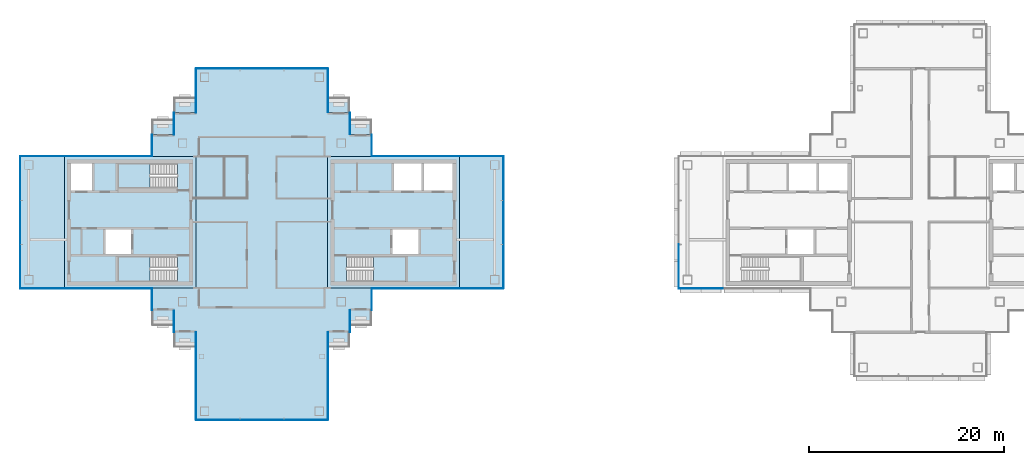
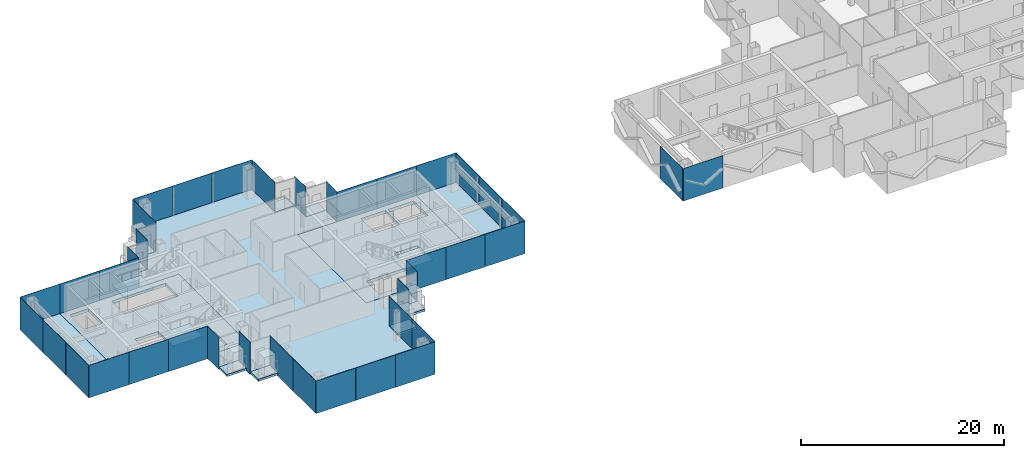
# One storey, part 7 of 17: 40 plates, 16 slabs, 25 elements without a shape of their own.
"""IFC4 building model written with IfcOpenShell, lengths in metres."""

from ifc_helpers import new_model, si_unit, direction, frame, origin, origin_2d, place, context, subcontext, project, spatial, polyline, rectangle, outline, extrude, material, layer, layer_set, type_object, element, aggregate, save


model = new_model("IFC4")

# Units and contexts
model_context = context("Model", 3, precision=1e-05, world=origin(), true_north=direction((0.0, 1.0)))
body_context = subcontext(model_context, "Body", "Model", "MODEL_VIEW")
ifc_project = project(units=[si_unit("LENGTHUNIT", "METRE"), si_unit("AREAUNIT", "SQUARE_METRE"), si_unit("VOLUMEUNIT", "CUBIC_METRE"), si_unit("PLANEANGLEUNIT", "RADIAN"), si_unit("MASSUNIT", "GRAM", prefix="KILO")], contexts=[model_context])

# Site, building, storey
site_placement = place(None, origin())
site = spatial("IfcSite", under=ifc_project, at=site_placement, CompositionType="ELEMENT")
building_placement = place(site_placement, origin())
building = spatial("IfcBuilding", under=site, at=building_placement, Name="Shamsa Quay Exchange Towers", CompositionType="ELEMENT")
storey_placement = place(building_placement, frame((0.0, 0.0, 253.800048828125)))
storey = spatial("IfcBuildingStorey", under=building, at=storey_placement, Name="L61", CompositionType="ELEMENT", Elevation=253.800048828125)

# Slabs
ifc_material_1 = material(Name="Precast concrete C40/50", Category="concrete")
ifc_layer_1 = layer(ifc_material_1, 0.25)
ifc_layer_set_1 = layer_set([ifc_layer_1], Name="BALCONY SLAB 250")
slab_type_1 = type_object("IfcSlabType", Name="BALCONY SLAB 250", PredefinedType="FLOOR", material=ifc_layer_set_1)
slab_1_placement = place(storey_placement, frame((0.0, 0.0, -0.25)))
element("IfcSlab", 1, at=slab_1_placement, inside=storey, type_object=slab_type_1, Name="Balcony T1-PKEN L61", PredefinedType="FLOOR", context=body_context, shape_type="SweptSolid", body=[
    extrude(outline(polyline([(-22.5, 9.0), (-24.7119140625, 9.0), (-24.7119140625, 10.550048828125), (-22.5, 10.550048828125), (-22.5, 9.0)])), origin(), (0.0, 0.0, 1.0), 0.25),
])
slab_2_placement = place(storey_placement, frame((0.0, 0.0, -0.25)))
element("IfcSlab", 2, at=slab_2_placement, inside=storey, type_object=slab_type_1, Name="Balcony T1-PKEN L61", PredefinedType="FLOOR", context=body_context, shape_type="SweptSolid", body=[
    extrude(outline(polyline([(-24.75, 11.25), (-26.9619140625, 11.25), (-26.9619140625, 12.800048828125), (-24.75, 12.800048828125), (-24.75, 11.25)])), origin(), (0.0, 0.0, 1.0), 0.25),
])
slab_3_placement = place(storey_placement, frame((0.0, 0.0, -0.25)))
element("IfcSlab", 3, at=slab_3_placement, inside=storey, type_object=slab_type_1, Name="Balcony T1-PKES L61", PredefinedType="FLOOR", context=body_context, shape_type="SweptSolid", body=[
    extrude(outline(polyline([(-24.7119140625, -9.0), (-22.5, -9.0), (-22.5, -10.550048828125), (-24.7119140625, -10.550048828125), (-24.7119140625, -9.0)])), origin(), (0.0, 0.0, 1.0), 0.25),
])
slab_4_placement = place(storey_placement, frame((0.0, 0.0, -0.25)))
element("IfcSlab", 4, at=slab_4_placement, inside=storey, type_object=slab_type_1, Name="Balcony T1-PKES L61", PredefinedType="FLOOR", context=body_context, shape_type="SweptSolid", body=[
    extrude(outline(polyline([(-26.9619140625, -11.25), (-24.75, -11.25), (-24.75, -12.800048828125), (-26.9619140625, -12.800048828125), (-26.9619140625, -11.25)])), origin(), (0.0, 0.0, 1.0), 0.25),
])
slab_5_placement = place(storey_placement, frame((0.0, 0.0, -0.25)))
element("IfcSlab", 5, at=slab_5_placement, inside=storey, type_object=slab_type_1, Name="Balcony T1-PKWN L61", PredefinedType="FLOOR", context=body_context, shape_type="SweptSolid", body=[
    extrude(outline(polyline([(-40.5380859375, 11.25), (-42.75, 11.25), (-42.75, 12.800048828125), (-40.5380859375, 12.800048828125), (-40.5380859375, 11.25)])), origin(), (0.0, 0.0, 1.0), 0.25),
])
slab_6_placement = place(storey_placement, frame((0.0, 0.0, -0.25)))
element("IfcSlab", 6, at=slab_6_placement, inside=storey, type_object=slab_type_1, Name="Balcony T1-PKWN L61", PredefinedType="FLOOR", context=body_context, shape_type="SweptSolid", body=[
    extrude(outline(polyline([(-42.7880859375, 9.0), (-45.0, 9.0), (-45.0, 10.550048828125), (-42.7880859375, 10.550048828125), (-42.7880859375, 9.0)])), origin(), (0.0, 0.0, 1.0), 0.25),
])
slab_7_placement = place(storey_placement, frame((0.0, 0.0, -0.25)))
element("IfcSlab", 7, at=slab_7_placement, inside=storey, type_object=slab_type_1, Name="Balcony T1-PKWS L61", PredefinedType="FLOOR", context=body_context, shape_type="SweptSolid", body=[
    extrude(outline(polyline([(-45.0, -9.0), (-42.7880859375, -9.0), (-42.7880859375, -10.550048828125), (-45.0, -10.550048828125), (-45.0, -9.0)])), origin(), (0.0, 0.0, 1.0), 0.25),
])
slab_8_placement = place(storey_placement, frame((0.0, 0.0, -0.25)))
element("IfcSlab", 8, at=slab_8_placement, inside=storey, type_object=slab_type_1, Name="Balcony T1-PKWS L61", PredefinedType="FLOOR", context=body_context, shape_type="SweptSolid", body=[
    extrude(outline(polyline([(-42.75, -11.25), (-40.5380859375, -11.25), (-40.5380859375, -12.800048828125), (-42.75, -12.800048828125), (-42.75, -11.25)])), origin(), (0.0, 0.0, 1.0), 0.25),
])
ifc_material_2 = material(Name="Concrete C50/60", Category="concrete")
ifc_layer_2 = layer(ifc_material_2, 0.35009765625)
ifc_layer_set_2 = layer_set([ifc_layer_2], Name="CORE FLOOR 350 C50/60")
slab_type_2 = type_object("IfcSlabType", Name="CORE FLOOR 350 C50/60", PredefinedType="FLOOR", material=ifc_layer_set_2)
slab_9_placement = place(storey_placement, frame((0.0, 0.0, -0.35009765625)))
element("IfcSlab", 9, at=slab_9_placement, inside=storey, type_object=slab_type_2, Name="Core floor T1A", PredefinedType="FLOOR", context=body_context, shape_type="SweptSolid", body=[
    extrude(outline(polyline([(-27.0, -6.75), (-13.5, -6.75), (-13.5, 6.75), (-27.0, 6.75), (-27.0, -6.75)]), holes=[polyline([(-25.099365234375, -6.050048828125), (-25.099365234375, -3.5), (-19.0, -3.5), (-19.0, -6.050048828125), (-25.099365234375, -6.050048828125)]), polyline([(-20.199951171875, 3.25), (-20.199951171875, 6.050048828125), (-17.39990234375, 6.050048828125), (-17.39990234375, 3.25), (-20.199951171875, 3.25)]), polyline([(-17.14990234375, 3.25), (-17.14990234375, 6.050048828125), (-14.199951171875, 6.050048828125), (-14.199951171875, 3.25), (-17.14990234375, 3.25)]), polyline([(-20.35009765625, -3.25), (-20.35009765625, -0.75), (-17.699951171875, -0.75), (-17.699951171875, -3.25), (-20.35009765625, -3.25)])]), origin(), (0.0, 0.0, 1.0), 0.35009765625),
])
slab_10_placement = place(storey_placement, frame((0.0, 0.0, -0.35009765625)))
element("IfcSlab", 10, at=slab_10_placement, inside=storey, type_object=slab_type_2, Name="Core floor T1B", PredefinedType="FLOOR", context=body_context, shape_type="SweptSolid", body=[
    extrude(outline(polyline([(-40.5, -6.75), (-40.5, 6.75), (-54.0, 6.75), (-54.0, -6.75), (-40.5, -6.75)]), holes=[polyline([(-42.400634765625, -3.5), (-42.400634765625, -6.050048828125), (-48.5, -6.050048828125), (-48.5, -3.5), (-42.400634765625, -3.5)]), polyline([(-42.400634765625, 6.050048828125), (-42.400634765625, 3.5), (-48.5, 3.5), (-48.5, 6.050048828125), (-42.400634765625, 6.050048828125)]), polyline([(-51.14990234375, 3.25), (-53.300048828125, 3.25), (-53.300048828125, 6.050048828125), (-51.14990234375, 6.050048828125), (-51.14990234375, 3.25)]), polyline([(-47.14990234375, -3.25), (-49.800048828125, -3.25), (-49.800048828125, -0.75), (-47.14990234375, -0.75), (-47.14990234375, -3.25)])]), origin(), (0.0, 0.0, 1.0), 0.35009765625),
])

# Stair, slab
ifc_material_3 = material(Name="Concrete C40/50", Category="concrete")
stair_type = type_object("IfcStairType", Name="EXIT STAIR 22 RISERS 177 MM", PredefinedType="HALF_TURN_STAIR", material=ifc_material_3)
stair_1_placement = place(storey_placement, origin())
stair_1 = element("IfcStair", 11, at=stair_1_placement, inside=storey, type_object=stair_type, Name="L61 Exit stair ST1", PredefinedType="HALF_TURN_STAIR")
ifc_layer_3 = layer(ifc_material_3, 0.199951171875)
ifc_layer_set_3 = layer_set([ifc_layer_3], Name="CORE STAIR LANDING")
slab_type_3 = type_object("IfcSlabType", Name="CORE STAIR LANDING", PredefinedType="LANDING", material=ifc_layer_set_3)
slab_11_placement = place(storey_placement, frame((0.0, 0.0, 1.75)))
slab_11 = element("IfcSlab", 12, at=slab_11_placement, type_object=slab_type_3, Name="ST1 landing 1", PredefinedType="LANDING", context=body_context, shape_type="SweptSolid", body=[
    extrude(outline(polyline([(-22.300048828125, -6.050048828125), (-19.0, -6.050048828125), (-19.0, -3.5), (-22.300048828125, -3.5), (-22.300048828125, -6.050048828125)])), origin(), (0.0, 0.0, 1.0), 0.199951171875),
])
aggregate(stair_1, [slab_11])

stair_2_placement = place(storey_placement, origin())
stair_2 = element("IfcStair", 13, at=stair_2_placement, inside=storey, type_object=stair_type, Name="L61 Exit stair ST2", PredefinedType="HALF_TURN_STAIR")
slab_12_placement = place(storey_placement, frame((0.0, 0.0, 1.75)))
slab_12 = element("IfcSlab", 14, at=slab_12_placement, type_object=slab_type_3, Name="ST2 landing 1", PredefinedType="LANDING", context=body_context, shape_type="SweptSolid", body=[
    extrude(outline(polyline([(-45.199951171875, -3.5), (-48.5, -3.5), (-48.5, -6.050048828125), (-45.199951171875, -6.050048828125), (-45.199951171875, -3.5)])), origin(), (0.0, 0.0, 1.0), 0.199951171875),
])
aggregate(stair_2, [slab_12])

stair_3_placement = place(storey_placement, origin())
stair_3 = element("IfcStair", 15, at=stair_3_placement, inside=storey, type_object=stair_type, Name="L61 Exit stair ST3", PredefinedType="HALF_TURN_STAIR")
slab_13_placement = place(storey_placement, frame((0.0, 0.0, 1.75)))
slab_13 = element("IfcSlab", 16, at=slab_13_placement, type_object=slab_type_3, Name="ST3 landing 1", PredefinedType="LANDING", context=body_context, shape_type="SweptSolid", body=[
    extrude(outline(polyline([(-45.199951171875, 6.050048828125), (-48.5, 6.050048828125), (-48.5, 3.5), (-45.199951171875, 3.5), (-45.199951171875, 6.050048828125)])), origin(), (0.0, 0.0, 1.0), 0.199951171875),
])
aggregate(stair_3, [slab_13])

# Curtain wall, plates
ifc_material_4 = material(Name="Aluminium EN AW-6063 T6, black anodised", Category="aluminium")
ifc_layer_4 = layer(ifc_material_4, 0.280029296875)
ifc_layer_set_4 = layer_set([ifc_layer_4], Name="CW-1 UNITISED VISION GLASS")
curtain_wall_type_1 = type_object("IfcCurtainWallType", Name="CW-1 UNITISED VISION GLASS", PredefinedType="NOTDEFINED", material=ifc_layer_set_4)
curtain_wall_1_placement = place(storey_placement, origin())
curtain_wall_1 = element("IfcCurtainWall", 17, at=curtain_wall_1_placement, inside=storey, type_object=curtain_wall_type_1, Name="CW1 T1-FLK-V-W L61", PredefinedType="NOTDEFINED")
ifc_material_5 = material(Name="Glass, laminated, dark tinted", Category="glass")
ifc_layer_5 = layer(ifc_material_5, 0.0400390625)
ifc_layer_set_5 = layer_set([ifc_layer_5], Name="CW-1 VISION GLASS 40")
plate_type_1 = type_object("IfcPlateType", Name="CW-1 VISION GLASS 40", PredefinedType="CURTAIN_PANEL", material=ifc_layer_set_5)
plate_1_placement = place(storey_placement, frame((-40.52001953125, -13.52587890625, -0.35009765625), z_axis=(0.0, 0.0, 1.0), x_axis=(0.0, -1.0, 0.0)))
plate_1 = element("IfcPlate", 18, at=plate_1_placement, type_object=plate_type_1, Name="CW1 glass panel", PredefinedType="CURTAIN_PANEL", context=body_context, shape_type="SweptSolid", body=[
    extrude(rectangle(XDim=4.47607421875, YDim=0.0400390625, at=origin_2d()), origin(), (0.0, 0.0, 1.0), 3.89990234375),
])
plate_2_placement = place(storey_placement, frame((-40.52001953125, -18.011962890625, -0.35009765625), z_axis=(0.0, 0.0, 1.0), x_axis=(0.0, -1.0, 0.0)))
plate_2 = element("IfcPlate", 19, at=plate_2_placement, type_object=plate_type_1, Name="CW1 glass panel", PredefinedType="CURTAIN_PANEL", context=body_context, shape_type="SweptSolid", body=[
    extrude(rectangle(XDim=4.47607421875, YDim=0.0400390625, at=origin_2d()), origin(), (0.0, 0.0, 1.0), 3.89990234375),
])
aggregate(curtain_wall_1, [plate_1, plate_2])

curtain_wall_2_placement = place(storey_placement, origin())
curtain_wall_2 = element("IfcCurtainWall", 20, at=curtain_wall_2_placement, inside=storey, type_object=curtain_wall_type_1, Name="CW1 T1-END-V- L61", PredefinedType="NOTDEFINED")
plate_3_placement = place(storey_placement, frame((-38.25244140625, -20.27001953125, -0.35009765625)))
plate_3 = element("IfcPlate", 21, at=plate_3_placement, type_object=plate_type_1, Name="CW1 glass panel", PredefinedType="CURTAIN_PANEL", context=body_context, shape_type="SweptSolid", body=[
    extrude(rectangle(XDim=4.4951171875, YDim=0.0400390625, at=origin_2d()), origin(), (0.0, 0.0, 1.0), 3.89990234375),
])
plate_4_placement = place(storey_placement, frame((-33.75, -20.27001953125, -0.35009765625)))
plate_4 = element("IfcPlate", 22, at=plate_4_placement, type_object=plate_type_1, Name="CW1 glass panel", PredefinedType="CURTAIN_PANEL", context=body_context, shape_type="SweptSolid", body=[
    extrude(rectangle(XDim=4.489990234375, YDim=0.0400390625, at=origin_2d()), origin(), (0.0, 0.0, 1.0), 3.89990234375),
])
plate_5_placement = place(storey_placement, frame((-29.24755859375, -20.27001953125, -0.35009765625)))
plate_5 = element("IfcPlate", 23, at=plate_5_placement, type_object=plate_type_1, Name="CW1 glass panel", PredefinedType="CURTAIN_PANEL", context=body_context, shape_type="SweptSolid", body=[
    extrude(rectangle(XDim=4.4951171875, YDim=0.0400390625, at=origin_2d()), origin(), (0.0, 0.0, 1.0), 3.89990234375),
])
aggregate(curtain_wall_2, [plate_3, plate_4, plate_5])

curtain_wall_3_placement = place(storey_placement, origin())
curtain_wall_3 = element("IfcCurtainWall", 24, at=curtain_wall_3_placement, inside=storey, type_object=curtain_wall_type_1, Name="CW1 T1-FLK-V-E L61", PredefinedType="NOTDEFINED")
plate_6_placement = place(storey_placement, frame((-26.97998046875, -18.00244140625, -0.35009765625), z_axis=(0.0, 0.0, 1.0), x_axis=(0.0, 1.0, 0.0)))
plate_6 = element("IfcPlate", 25, at=plate_6_placement, type_object=plate_type_1, Name="CW1 glass panel", PredefinedType="CURTAIN_PANEL", context=body_context, shape_type="SweptSolid", body=[
    extrude(rectangle(XDim=4.4951171875, YDim=0.0400390625, at=origin_2d()), origin(), (0.0, 0.0, 1.0), 3.89990234375),
])
plate_7_placement = place(storey_placement, frame((-26.97998046875, -13.49755859375, -0.35009765625), z_axis=(0.0, 0.0, 1.0), x_axis=(0.0, 1.0, 0.0)))
plate_7 = element("IfcPlate", 26, at=plate_7_placement, type_object=plate_type_1, Name="CW1 glass panel", PredefinedType="CURTAIN_PANEL", context=body_context, shape_type="SweptSolid", body=[
    extrude(rectangle(XDim=4.4951171875, YDim=0.0400390625, at=origin_2d()), origin(), (0.0, 0.0, 1.0), 3.89990234375),
])
aggregate(curtain_wall_3, [plate_6, plate_7])

# Curtain wall, plate
curtain_wall_4_placement = place(storey_placement, origin())
curtain_wall_4 = element("IfcCurtainWall", 27, at=curtain_wall_4_placement, inside=storey, type_object=curtain_wall_type_1, Name="CW1 T1-FLK-U+S L61", PredefinedType="NOTDEFINED")
plate_8_placement = place(storey_placement, frame((-11.25, -6.77001953125, -0.35009765625)))
plate_8 = element("IfcPlate", 28, at=plate_8_placement, type_object=plate_type_1, Name="CW1 glass panel", PredefinedType="CURTAIN_PANEL", context=body_context, shape_type="SweptSolid", body=[
    extrude(rectangle(XDim=4.5, YDim=0.0400390625, at=origin_2d()), origin(), (0.0, 0.0, 1.0), 3.89990234375),
])
aggregate(curtain_wall_4, [plate_8])

# Curtain wall, plates
curtain_wall_5_placement = place(storey_placement, origin())
curtain_wall_5 = element("IfcCurtainWall", 29, at=curtain_wall_5_placement, inside=storey, type_object=curtain_wall_type_1, Name="CW1 T1-END-U+ L61", PredefinedType="NOTDEFINED")
plate_9_placement = place(storey_placement, frame((-8.97998046875, -4.50244140625, -0.35009765625), z_axis=(0.0, 0.0, 1.0), x_axis=(0.0, 1.0, 0.0)))
plate_9 = element("IfcPlate", 30, at=plate_9_placement, type_object=plate_type_1, Name="CW1 glass panel", PredefinedType="CURTAIN_PANEL", context=body_context, shape_type="SweptSolid", body=[
    extrude(rectangle(XDim=4.4951171875, YDim=0.0400390625, at=origin_2d()), origin(), (0.0, 0.0, 1.0), 3.89990234375),
])
plate_10_placement = place(storey_placement, frame((-8.97998046875, 0.0, -0.35009765625), z_axis=(0.0, 0.0, 1.0), x_axis=(0.0, 1.0, 0.0)))
plate_10 = element("IfcPlate", 31, at=plate_10_placement, type_object=plate_type_1, Name="CW1 glass panel", PredefinedType="CURTAIN_PANEL", context=body_context, shape_type="SweptSolid", body=[
    extrude(rectangle(XDim=4.489990234375, YDim=0.0400390625, at=origin_2d()), origin(), (0.0, 0.0, 1.0), 3.89990234375),
])
plate_11_placement = place(storey_placement, frame((-8.97998046875, 4.50244140625, -0.35009765625), z_axis=(0.0, 0.0, 1.0), x_axis=(0.0, 1.0, 0.0)))
plate_11 = element("IfcPlate", 32, at=plate_11_placement, type_object=plate_type_1, Name="CW1 glass panel", PredefinedType="CURTAIN_PANEL", context=body_context, shape_type="SweptSolid", body=[
    extrude(rectangle(XDim=4.4951171875, YDim=0.0400390625, at=origin_2d()), origin(), (0.0, 0.0, 1.0), 3.89990234375),
])
aggregate(curtain_wall_5, [plate_9, plate_10, plate_11])

# Curtain wall, plate
curtain_wall_6_placement = place(storey_placement, origin())
curtain_wall_6 = element("IfcCurtainWall", 33, at=curtain_wall_6_placement, inside=storey, type_object=curtain_wall_type_1, Name="CW1 T1-FLK-U+N L61", PredefinedType="NOTDEFINED")
plate_12_placement = place(storey_placement, frame((-11.25, 6.77001953125, -0.35009765625), z_axis=(0.0, 0.0, 1.0), x_axis=(-1.0, 0.0, 0.0)))
plate_12 = element("IfcPlate", 34, at=plate_12_placement, type_object=plate_type_1, Name="CW1 glass panel", PredefinedType="CURTAIN_PANEL", context=body_context, shape_type="SweptSolid", body=[
    extrude(rectangle(XDim=4.5, YDim=0.0400390625, at=origin_2d()), origin(), (0.0, 0.0, 1.0), 3.89990234375),
])
aggregate(curtain_wall_6, [plate_12])

curtain_wall_7_placement = place(storey_placement, origin())
curtain_wall_7 = element("IfcCurtainWall", 35, at=curtain_wall_7_placement, inside=storey, type_object=curtain_wall_type_1, Name="CW1 T1-FLK-V+E L61", PredefinedType="NOTDEFINED")
plate_13_placement = place(storey_placement, frame((-26.97998046875, 13.51904296875, -0.35009765625), z_axis=(0.0, 0.0, 1.0), x_axis=(0.0, 1.0, 0.0)))
plate_13 = element("IfcPlate", 36, at=plate_13_placement, type_object=plate_type_1, Name="CW1 glass panel", PredefinedType="CURTAIN_PANEL", context=body_context, shape_type="SweptSolid", body=[
    extrude(rectangle(XDim=4.4619140625, YDim=0.0400390625, at=origin_2d()), origin(), (0.0, 0.0, 1.0), 3.89990234375),
])
aggregate(curtain_wall_7, [plate_13])

# Curtain wall, plates
curtain_wall_8_placement = place(storey_placement, origin())
curtain_wall_8 = element("IfcCurtainWall", 37, at=curtain_wall_8_placement, inside=storey, type_object=curtain_wall_type_1, Name="CW1 T1-END-V+ L61", PredefinedType="NOTDEFINED")
plate_14_placement = place(storey_placement, frame((-29.24755859375, 15.77001953125, -0.35009765625), z_axis=(0.0, 0.0, 1.0), x_axis=(-1.0, 0.0, 0.0)))
plate_14 = element("IfcPlate", 38, at=plate_14_placement, type_object=plate_type_1, Name="CW1 glass panel", PredefinedType="CURTAIN_PANEL", context=body_context, shape_type="SweptSolid", body=[
    extrude(rectangle(XDim=4.4951171875, YDim=0.0400390625, at=origin_2d()), origin(), (0.0, 0.0, 1.0), 3.89990234375),
])
plate_15_placement = place(storey_placement, frame((-33.75, 15.77001953125, -0.35009765625), z_axis=(0.0, 0.0, 1.0), x_axis=(-1.0, 0.0, 0.0)))
plate_15 = element("IfcPlate", 39, at=plate_15_placement, type_object=plate_type_1, Name="CW1 glass panel", PredefinedType="CURTAIN_PANEL", context=body_context, shape_type="SweptSolid", body=[
    extrude(rectangle(XDim=4.489990234375, YDim=0.0400390625, at=origin_2d()), origin(), (0.0, 0.0, 1.0), 3.89990234375),
])
plate_16_placement = place(storey_placement, frame((-38.25244140625, 15.77001953125, -0.35009765625), z_axis=(0.0, 0.0, 1.0), x_axis=(-1.0, 0.0, 0.0)))
plate_16 = element("IfcPlate", 40, at=plate_16_placement, type_object=plate_type_1, Name="CW1 glass panel", PredefinedType="CURTAIN_PANEL", context=body_context, shape_type="SweptSolid", body=[
    extrude(rectangle(XDim=4.4951171875, YDim=0.0400390625, at=origin_2d()), origin(), (0.0, 0.0, 1.0), 3.89990234375),
])
aggregate(curtain_wall_8, [plate_14, plate_15, plate_16])

# Curtain wall, plate
curtain_wall_9_placement = place(storey_placement, origin())
curtain_wall_9 = element("IfcCurtainWall", 41, at=curtain_wall_9_placement, inside=storey, type_object=curtain_wall_type_1, Name="CW1 T1-FLK-V+W L61", PredefinedType="NOTDEFINED")
plate_17_placement = place(storey_placement, frame((-40.52001953125, 13.5, -0.35009765625), z_axis=(0.0, 0.0, 1.0), x_axis=(0.0, -1.0, 0.0)))
plate_17 = element("IfcPlate", 42, at=plate_17_placement, type_object=plate_type_1, Name="CW1 glass panel", PredefinedType="CURTAIN_PANEL", context=body_context, shape_type="SweptSolid", body=[
    extrude(rectangle(XDim=4.5, YDim=0.0400390625, at=origin_2d()), origin(), (0.0, 0.0, 1.0), 3.89990234375),
])
aggregate(curtain_wall_9, [plate_17])

curtain_wall_10_placement = place(storey_placement, origin())
curtain_wall_10 = element("IfcCurtainWall", 43, at=curtain_wall_10_placement, inside=storey, type_object=curtain_wall_type_1, Name="CW1 T1-FLK-U-N L61", PredefinedType="NOTDEFINED")
plate_18_placement = place(storey_placement, frame((-56.25, 6.77001953125, -0.35009765625), z_axis=(0.0, 0.0, 1.0), x_axis=(-1.0, 0.0, 0.0)))
plate_18 = element("IfcPlate", 44, at=plate_18_placement, type_object=plate_type_1, Name="CW1 glass panel", PredefinedType="CURTAIN_PANEL", context=body_context, shape_type="SweptSolid", body=[
    extrude(rectangle(XDim=4.5, YDim=0.0400390625, at=origin_2d()), origin(), (0.0, 0.0, 1.0), 3.89990234375),
])
aggregate(curtain_wall_10, [plate_18])

# Curtain wall, plates
curtain_wall_11_placement = place(storey_placement, origin())
curtain_wall_11 = element("IfcCurtainWall", 45, at=curtain_wall_11_placement, inside=storey, type_object=curtain_wall_type_1, Name="CW1 T1-END-U- L61", PredefinedType="NOTDEFINED")
plate_19_placement = place(storey_placement, frame((-58.52001953125, 4.50244140625, -0.35009765625), z_axis=(0.0, 0.0, 1.0), x_axis=(0.0, -1.0, 0.0)))
plate_19 = element("IfcPlate", 46, at=plate_19_placement, type_object=plate_type_1, Name="CW1 glass panel", PredefinedType="CURTAIN_PANEL", context=body_context, shape_type="SweptSolid", body=[
    extrude(rectangle(XDim=4.4951171875, YDim=0.0400390625, at=origin_2d()), origin(), (0.0, 0.0, 1.0), 3.89990234375),
])
plate_20_placement = place(storey_placement, frame((-58.52001953125, 0.0, -0.35009765625), z_axis=(0.0, 0.0, 1.0), x_axis=(0.0, -1.0, 0.0)))
plate_20 = element("IfcPlate", 47, at=plate_20_placement, type_object=plate_type_1, Name="CW1 glass panel", PredefinedType="CURTAIN_PANEL", context=body_context, shape_type="SweptSolid", body=[
    extrude(rectangle(XDim=4.489990234375, YDim=0.0400390625, at=origin_2d()), origin(), (0.0, 0.0, 1.0), 3.89990234375),
])
plate_21_placement = place(storey_placement, frame((-58.52001953125, -4.50244140625, -0.35009765625), z_axis=(0.0, 0.0, 1.0), x_axis=(0.0, -1.0, 0.0)))
plate_21 = element("IfcPlate", 48, at=plate_21_placement, type_object=plate_type_1, Name="CW1 glass panel", PredefinedType="CURTAIN_PANEL", context=body_context, shape_type="SweptSolid", body=[
    extrude(rectangle(XDim=4.4951171875, YDim=0.0400390625, at=origin_2d()), origin(), (0.0, 0.0, 1.0), 3.89990234375),
])
aggregate(curtain_wall_11, [plate_19, plate_20, plate_21])

# Curtain wall, plate
curtain_wall_12_placement = place(storey_placement, origin())
curtain_wall_12 = element("IfcCurtainWall", 49, at=curtain_wall_12_placement, inside=storey, type_object=curtain_wall_type_1, Name="CW1 T1-FLK-U-S L61", PredefinedType="NOTDEFINED")
plate_22_placement = place(storey_placement, frame((-56.25, -6.77001953125, -0.35009765625)))
plate_22 = element("IfcPlate", 50, at=plate_22_placement, type_object=plate_type_1, Name="CW1 glass panel", PredefinedType="CURTAIN_PANEL", context=body_context, shape_type="SweptSolid", body=[
    extrude(rectangle(XDim=4.5, YDim=0.0400390625, at=origin_2d()), origin(), (0.0, 0.0, 1.0), 3.89990234375),
])
aggregate(curtain_wall_12, [plate_22])

curtain_wall_13_placement = place(storey_placement, origin())
curtain_wall_13 = element("IfcCurtainWall", 51, at=curtain_wall_13_placement, inside=storey, type_object=curtain_wall_type_1, Name="CW1 T2-END-V+ L61", PredefinedType="NOTDEFINED")
plate_23_placement = place(storey_placement, frame((8.97998046875, -4.50244140625, -0.35009765625), z_axis=(0.0, 0.0, 1.0), x_axis=(0.0, -1.0, 0.0)))
plate_23 = element("IfcPlate", 52, at=plate_23_placement, type_object=plate_type_1, Name="CW1 glass panel", PredefinedType="CURTAIN_PANEL", context=body_context, shape_type="SweptSolid", body=[
    extrude(rectangle(XDim=4.4951171875, YDim=0.0400390625, at=origin_2d()), origin(), (0.0, 0.0, 1.0), 3.89990234375),
])
aggregate(curtain_wall_13, [plate_23])

curtain_wall_14_placement = place(storey_placement, origin())
curtain_wall_14 = element("IfcCurtainWall", 53, at=curtain_wall_14_placement, inside=storey, type_object=curtain_wall_type_1, Name="CW1 T2-FLK-V+W L61", PredefinedType="NOTDEFINED")
plate_24_placement = place(storey_placement, frame((11.25, -6.77001953125, -0.35009765625)))
plate_24 = element("IfcPlate", 54, at=plate_24_placement, type_object=plate_type_1, Name="CW1 glass panel", PredefinedType="CURTAIN_PANEL", context=body_context, shape_type="SweptSolid", body=[
    extrude(rectangle(XDim=4.5, YDim=0.0400390625, at=origin_2d()), origin(), (0.0, 0.0, 1.0), 3.89990234375),
])
aggregate(curtain_wall_14, [plate_24])

# Curtain wall, plates
ifc_layer_6 = layer(ifc_material_4, 0.303955078125)
ifc_layer_set_6 = layer_set([ifc_layer_6], Name="CW-2 UNITISED OPAQUE SPANDREL GLASS")
curtain_wall_type_2 = type_object("IfcCurtainWallType", Name="CW-2 UNITISED OPAQUE SPANDREL GLASS", PredefinedType="NOTDEFINED", material=ifc_layer_set_6)
curtain_wall_15_placement = place(storey_placement, origin())
curtain_wall_15 = element("IfcCurtainWall", 55, at=curtain_wall_15_placement, inside=storey, type_object=curtain_wall_type_2, Name="CW2 T1-FLK-U+S L61", PredefinedType="NOTDEFINED")
ifc_material_6 = material(Name="Glass, laminated, black enamelled opaque", Category="glass")
ifc_layer_7 = layer(ifc_material_6, 0.0439453125)
ifc_layer_set_7 = layer_set([ifc_layer_7], Name="CW-2 SPANDREL GLASS 44")
plate_type_2 = type_object("IfcPlateType", Name="CW-2 SPANDREL GLASS 44", PredefinedType="CURTAIN_PANEL", material=ifc_layer_set_7)
plate_25_placement = place(storey_placement, frame((-20.22412109375, -6.77197265625, -0.35009765625)))
plate_25 = element("IfcPlate", 56, at=plate_25_placement, type_object=plate_type_2, Name="CW2 glass panel", PredefinedType="CURTAIN_PANEL", context=body_context, shape_type="SweptSolid", body=[
    extrude(rectangle(XDim=4.47607421875, YDim=0.0439453125, at=origin_2d()), origin(), (0.0, 0.0, 1.0), 3.89990234375),
])
plate_26_placement = place(storey_placement, frame((-15.738037109375, -6.77197265625, -0.35009765625)))
plate_26 = element("IfcPlate", 57, at=plate_26_placement, type_object=plate_type_2, Name="CW2 glass panel", PredefinedType="CURTAIN_PANEL", context=body_context, shape_type="SweptSolid", body=[
    extrude(rectangle(XDim=4.47607421875, YDim=0.0439453125, at=origin_2d()), origin(), (0.0, 0.0, 1.0), 3.89990234375),
])
aggregate(curtain_wall_15, [plate_25, plate_26])

curtain_wall_16_placement = place(storey_placement, origin())
curtain_wall_16 = element("IfcCurtainWall", 58, at=curtain_wall_16_placement, inside=storey, type_object=curtain_wall_type_2, Name="CW2 T1-FLK-U+N L61", PredefinedType="NOTDEFINED")
plate_27_placement = place(storey_placement, frame((-15.74755859375, 6.77197265625, -0.35009765625), z_axis=(0.0, 0.0, 1.0), x_axis=(-1.0, 0.0, 0.0)))
plate_27 = element("IfcPlate", 59, at=plate_27_placement, type_object=plate_type_2, Name="CW2 glass panel", PredefinedType="CURTAIN_PANEL", context=body_context, shape_type="SweptSolid", body=[
    extrude(rectangle(XDim=4.4951171875, YDim=0.0439453125, at=origin_2d()), origin(), (0.0, 0.0, 1.0), 3.89990234375),
])
plate_28_placement = place(storey_placement, frame((-20.25244140625, 6.77197265625, -0.35009765625), z_axis=(0.0, 0.0, 1.0), x_axis=(-1.0, 0.0, 0.0)))
plate_28 = element("IfcPlate", 60, at=plate_28_placement, type_object=plate_type_2, Name="CW2 glass panel", PredefinedType="CURTAIN_PANEL", context=body_context, shape_type="SweptSolid", body=[
    extrude(rectangle(XDim=4.4951171875, YDim=0.0439453125, at=origin_2d()), origin(), (0.0, 0.0, 1.0), 3.89990234375),
])
aggregate(curtain_wall_16, [plate_27, plate_28])

curtain_wall_17_placement = place(storey_placement, origin())
curtain_wall_17 = element("IfcCurtainWall", 61, at=curtain_wall_17_placement, inside=storey, type_object=curtain_wall_type_2, Name="CW2 T1-FLK-U-N L61", PredefinedType="NOTDEFINED")
plate_29_placement = place(storey_placement, frame((-47.27587890625, 6.77197265625, -0.35009765625), z_axis=(0.0, 0.0, 1.0), x_axis=(-1.0, 0.0, 0.0)))
plate_29 = element("IfcPlate", 62, at=plate_29_placement, type_object=plate_type_2, Name="CW2 glass panel", PredefinedType="CURTAIN_PANEL", context=body_context, shape_type="SweptSolid", body=[
    extrude(rectangle(XDim=4.47607421875, YDim=0.0439453125, at=origin_2d()), origin(), (0.0, 0.0, 1.0), 3.89990234375),
])
plate_30_placement = place(storey_placement, frame((-51.761962890625, 6.77197265625, -0.35009765625), z_axis=(0.0, 0.0, 1.0), x_axis=(-1.0, 0.0, 0.0)))
plate_30 = element("IfcPlate", 63, at=plate_30_placement, type_object=plate_type_2, Name="CW2 glass panel", PredefinedType="CURTAIN_PANEL", context=body_context, shape_type="SweptSolid", body=[
    extrude(rectangle(XDim=4.47607421875, YDim=0.0439453125, at=origin_2d()), origin(), (0.0, 0.0, 1.0), 3.89990234375),
])
aggregate(curtain_wall_17, [plate_29, plate_30])

curtain_wall_18_placement = place(storey_placement, origin())
curtain_wall_18 = element("IfcCurtainWall", 64, at=curtain_wall_18_placement, inside=storey, type_object=curtain_wall_type_2, Name="CW2 T1-FLK-U-S L61", PredefinedType="NOTDEFINED")
plate_31_placement = place(storey_placement, frame((-51.75244140625, -6.77197265625, -0.35009765625)))
plate_31 = element("IfcPlate", 65, at=plate_31_placement, type_object=plate_type_2, Name="CW2 glass panel", PredefinedType="CURTAIN_PANEL", context=body_context, shape_type="SweptSolid", body=[
    extrude(rectangle(XDim=4.4951171875, YDim=0.0439453125, at=origin_2d()), origin(), (0.0, 0.0, 1.0), 3.89990234375),
])
plate_32_placement = place(storey_placement, frame((-47.24755859375, -6.77197265625, -0.35009765625)))
plate_32 = element("IfcPlate", 66, at=plate_32_placement, type_object=plate_type_2, Name="CW2 glass panel", PredefinedType="CURTAIN_PANEL", context=body_context, shape_type="SweptSolid", body=[
    extrude(rectangle(XDim=4.4951171875, YDim=0.0439453125, at=origin_2d()), origin(), (0.0, 0.0, 1.0), 3.89990234375),
])
aggregate(curtain_wall_18, [plate_31, plate_32])

ifc_layer_8 = layer(ifc_material_4, 0.256103515625)
ifc_layer_set_8 = layer_set([ifc_layer_8], Name="CW-4 POCKET SERRATED GLAZING")
curtain_wall_type_3 = type_object("IfcCurtainWallType", Name="CW-4 POCKET SERRATED GLAZING", PredefinedType="NOTDEFINED", material=ifc_layer_set_8)
curtain_wall_19_placement = place(storey_placement, origin())
curtain_wall_19 = element("IfcCurtainWall", 67, at=curtain_wall_19_placement, inside=storey, type_object=curtain_wall_type_3, Name="CW4 PKWS L61", PredefinedType="NOTDEFINED")
ifc_layer_9 = layer(ifc_material_5, 0.035888671875)
ifc_layer_set_9 = layer_set([ifc_layer_9], Name="CW-4 POCKET GLASS 36")
plate_type_3 = type_object("IfcPlateType", Name="CW-4 POCKET GLASS 36", PredefinedType="CURTAIN_PANEL", material=ifc_layer_set_9)
plate_33_placement = place(storey_placement, frame((-42.76806640625, -10.14404296875, -0.35009765625), z_axis=(0.0, 0.0, 1.0), x_axis=(0.0, -1.0, 0.0)))
plate_33 = element("IfcPlate", 68, at=plate_33_placement, type_object=plate_type_3, Name="CW4 glass panel", PredefinedType="CURTAIN_PANEL", context=body_context, shape_type="SweptSolid", body=[
    extrude(rectangle(XDim=2.2119140625, YDim=0.035888671875, at=origin_2d()), origin(), (0.0, 0.0, 1.0), 3.89990234375),
])
plate_34_placement = place(storey_placement, frame((-45.01806640625, -7.89794921875, -0.35009765625), z_axis=(0.0, 0.0, 1.0), x_axis=(0.0, -1.0, 0.0)))
plate_34 = element("IfcPlate", 69, at=plate_34_placement, type_object=plate_type_3, Name="CW4 glass panel", PredefinedType="CURTAIN_PANEL", context=body_context, shape_type="SweptSolid", body=[
    extrude(rectangle(XDim=2.2041015625, YDim=0.035888671875, at=origin_2d()), origin(), (0.0, 0.0, 1.0), 3.89990234375),
])
aggregate(curtain_wall_19, [plate_33, plate_34])

curtain_wall_20_placement = place(storey_placement, origin())
curtain_wall_20 = element("IfcCurtainWall", 70, at=curtain_wall_20_placement, inside=storey, type_object=curtain_wall_type_3, Name="CW4 PKES L61", PredefinedType="NOTDEFINED")
plate_35_placement = place(storey_placement, frame((-24.73193359375, -10.125, -0.35009765625), z_axis=(0.0, 0.0, 1.0), x_axis=(0.0, 1.0, 0.0)))
plate_35 = element("IfcPlate", 71, at=plate_35_placement, type_object=plate_type_3, Name="CW4 glass panel", PredefinedType="CURTAIN_PANEL", context=body_context, shape_type="SweptSolid", body=[
    extrude(rectangle(XDim=2.25, YDim=0.035888671875, at=origin_2d()), origin(), (0.0, 0.0, 1.0), 3.89990234375),
])
plate_36_placement = place(storey_placement, frame((-22.48193359375, -7.875, -0.35009765625), z_axis=(0.0, 0.0, 1.0), x_axis=(0.0, 1.0, 0.0)))
plate_36 = element("IfcPlate", 72, at=plate_36_placement, type_object=plate_type_3, Name="CW4 glass panel", PredefinedType="CURTAIN_PANEL", context=body_context, shape_type="SweptSolid", body=[
    extrude(rectangle(XDim=2.25, YDim=0.035888671875, at=origin_2d()), origin(), (0.0, 0.0, 1.0), 3.89990234375),
])
aggregate(curtain_wall_20, [plate_35, plate_36])

curtain_wall_21_placement = place(storey_placement, origin())
curtain_wall_21 = element("IfcCurtainWall", 73, at=curtain_wall_21_placement, inside=storey, type_object=curtain_wall_type_3, Name="CW4 PKEN L61", PredefinedType="NOTDEFINED")
plate_37_placement = place(storey_placement, frame((-22.48193359375, 7.89794921875, -0.35009765625), z_axis=(0.0, 0.0, 1.0), x_axis=(0.0, 1.0, 0.0)))
plate_37 = element("IfcPlate", 74, at=plate_37_placement, type_object=plate_type_3, Name="CW4 glass panel", PredefinedType="CURTAIN_PANEL", context=body_context, shape_type="SweptSolid", body=[
    extrude(rectangle(XDim=2.2041015625, YDim=0.035888671875, at=origin_2d()), origin(), (0.0, 0.0, 1.0), 3.89990234375),
])
plate_38_placement = place(storey_placement, frame((-24.73193359375, 10.14404296875, -0.35009765625), z_axis=(0.0, 0.0, 1.0), x_axis=(0.0, 1.0, 0.0)))
plate_38 = element("IfcPlate", 75, at=plate_38_placement, type_object=plate_type_3, Name="CW4 glass panel", PredefinedType="CURTAIN_PANEL", context=body_context, shape_type="SweptSolid", body=[
    extrude(rectangle(XDim=2.2119140625, YDim=0.035888671875, at=origin_2d()), origin(), (0.0, 0.0, 1.0), 3.89990234375),
])
aggregate(curtain_wall_21, [plate_37, plate_38])

curtain_wall_22_placement = place(storey_placement, origin())
curtain_wall_22 = element("IfcCurtainWall", 76, at=curtain_wall_22_placement, inside=storey, type_object=curtain_wall_type_3, Name="CW4 PKWN L61", PredefinedType="NOTDEFINED")
plate_39_placement = place(storey_placement, frame((-42.76806640625, 10.125, -0.35009765625), z_axis=(0.0, 0.0, 1.0), x_axis=(0.0, -1.0, 0.0)))
plate_39 = element("IfcPlate", 77, at=plate_39_placement, type_object=plate_type_3, Name="CW4 glass panel", PredefinedType="CURTAIN_PANEL", context=body_context, shape_type="SweptSolid", body=[
    extrude(rectangle(XDim=2.25, YDim=0.035888671875, at=origin_2d()), origin(), (0.0, 0.0, 1.0), 3.89990234375),
])
plate_40_placement = place(storey_placement, frame((-45.01806640625, 7.875, -0.35009765625), z_axis=(0.0, 0.0, 1.0), x_axis=(0.0, -1.0, 0.0)))
plate_40 = element("IfcPlate", 78, at=plate_40_placement, type_object=plate_type_3, Name="CW4 glass panel", PredefinedType="CURTAIN_PANEL", context=body_context, shape_type="SweptSolid", body=[
    extrude(rectangle(XDim=2.25, YDim=0.035888671875, at=origin_2d()), origin(), (0.0, 0.0, 1.0), 3.89990234375),
])
aggregate(curtain_wall_22, [plate_39, plate_40])

# Slabs
ifc_layer_10 = layer(ifc_material_3, 0.35009765625)
ifc_layer_set_10 = layer_set([ifc_layer_10], Name="Flat slab 350")
slab_type_4 = type_object("IfcSlabType", Name="Flat slab 350", PredefinedType="FLOOR", material=ifc_layer_set_10)
slab_14_placement = place(storey_placement, frame((0.0, 0.0, -0.35009765625)))
element("IfcSlab", 79, at=slab_14_placement, inside=storey, type_object=slab_type_4, Name="Flat slab T1 L61 1", PredefinedType="FLOOR", context=body_context, shape_type="SweptSolid", body=[
    extrude(outline(polyline([(-58.5, -6.75), (-54.0, -6.75), (-54.0, 6.75), (-58.5, 6.75), (-58.5, -6.75)])), origin(), (0.0, 0.0, 1.0), 0.35009765625),
])
slab_15_placement = place(storey_placement, frame((0.0, 0.0, -0.35009765625)))
element("IfcSlab", 80, at=slab_15_placement, inside=storey, type_object=slab_type_4, Name="Flat slab T1 L61 2", PredefinedType="FLOOR", context=body_context, shape_type="SweptSolid", body=[
    extrude(outline(polyline([(-22.5, -9.0), (-22.5, -6.75), (-27.0, -6.75), (-27.0, 6.75), (-22.5, 6.75), (-22.5, 9.0), (-24.75, 9.0), (-24.75, 11.25), (-27.0, 11.25), (-27.0, 15.75), (-40.5, 15.75), (-40.5, 11.25), (-42.75, 11.25), (-42.75, 9.0), (-45.0, 9.0), (-45.0, 6.75), (-40.5, 6.75), (-40.5, -6.75), (-45.0, -6.75), (-45.0, -9.0), (-42.75, -9.0), (-42.75, -11.25), (-40.5, -11.25), (-40.5, -20.25), (-27.0, -20.25), (-27.0, -11.25), (-24.75, -11.25), (-24.75, -9.0), (-22.5, -9.0)])), origin(), (0.0, 0.0, 1.0), 0.35009765625),
])
slab_16_placement = place(storey_placement, frame((0.0, 0.0, -0.35009765625)))
element("IfcSlab", 81, at=slab_16_placement, inside=storey, type_object=slab_type_4, Name="Flat slab T1 L61 3", PredefinedType="FLOOR", context=body_context, shape_type="SweptSolid", body=[
    extrude(outline(polyline([(-9.0, 6.75), (-13.5, 6.75), (-13.5, -6.75), (-9.0, -6.75), (-9.0, 6.75)])), origin(), (0.0, 0.0, 1.0), 0.35009765625),
])

save(model, "model.ifc")
